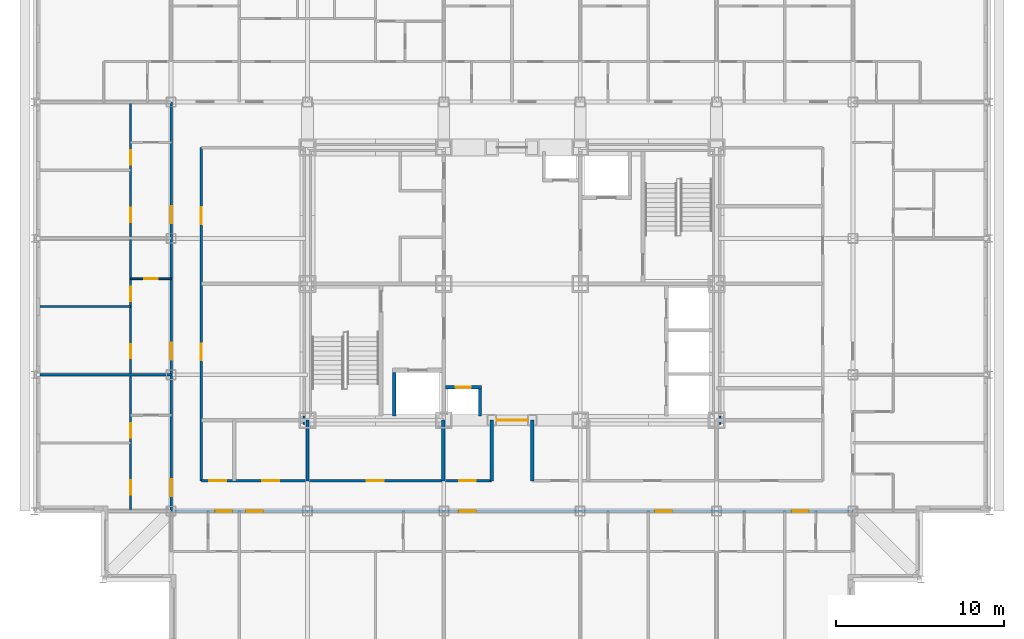
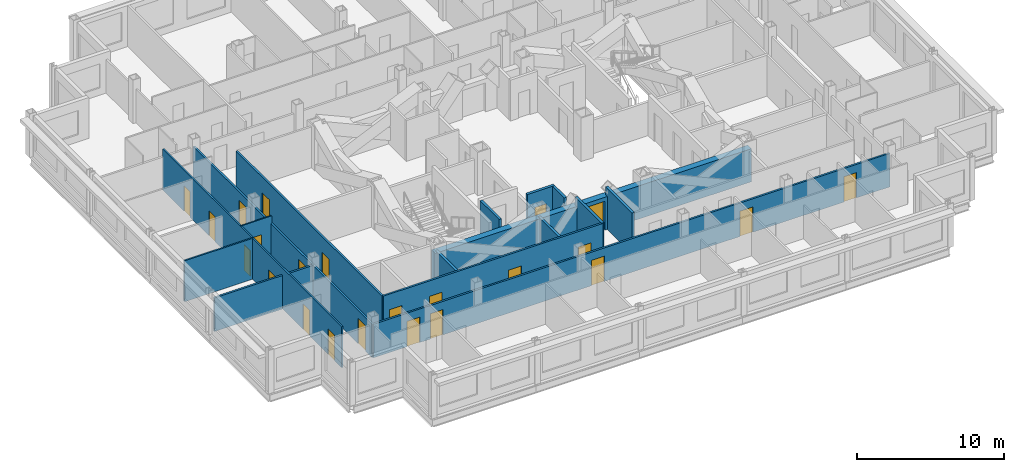
# One storey, part 5 of 12: 23 doors, 16 walls, 23 openings.
"""IFC4 building model written with IfcOpenShell, lengths in metres."""

from ifc_helpers import new_model, si_unit, direction, frame, frame_2d, origin, place, context, subcontext, project, spatial, rectangle, extrude, material, layer, layer_set, type_object, element, fill, save


model = new_model("IFC4")

# Units and contexts
model_context = context("Model", 3, precision=1e-05, world=origin(), true_north=direction((0.0, 1.0)))
body_context = subcontext(model_context, "Body", "Model", "MODEL_VIEW")
ifc_project = project(units=[si_unit("LENGTHUNIT", "METRE"), si_unit("AREAUNIT", "SQUARE_METRE"), si_unit("VOLUMEUNIT", "CUBIC_METRE"), si_unit("PLANEANGLEUNIT", "RADIAN"), si_unit("MASSUNIT", "GRAM", prefix="KILO")], contexts=[model_context])

# Site, building, storey
site_placement = place(None, origin())
site = spatial("IfcSite", under=ifc_project, at=site_placement, CompositionType="ELEMENT")
building_placement = place(site_placement, origin())
building = spatial("IfcBuilding", under=site, at=building_placement, Name="Kopane Lantern Tower", CompositionType="ELEMENT")
storey_placement = place(building_placement, frame((0.0, 0.0, 199.199951171875)))
storey = spatial("IfcBuildingStorey", under=building, at=storey_placement, Name="L51", CompositionType="ELEMENT", Elevation=199.199951171875)

# Wall, openings, doors
ifc_material_1 = material(Name="Gypsum board on steel studs", Category="steel")
ifc_layer_1 = layer(ifc_material_1, 0.1201171875)
ifc_layer_set_1 = layer_set([ifc_layer_1], Name="APARTMENT INTERNAL WALL 120")
wall_type_1 = type_object("IfcWallType", Name="APARTMENT INTERNAL WALL 120", PredefinedType="PARTITIONING", material=ifc_layer_set_1)
wall_1_placement = place(storey_placement, frame((5.699951171875, 18.89990234375, 0.0), z_axis=(0.0, 0.0, 1.0), x_axis=(0.0, 1.0, 0.0)))
wall_1 = element("IfcWall", 1, at=wall_1_placement, inside=storey, type_object=wall_type_1, Name="Apartment Internal Wall 120 L51", PredefinedType="PARTITIONING", context=body_context, shape_type="SweptSolid", body=[
    extrude(rectangle(XDim=24.300048828125, YDim=0.1201171875, at=frame_2d((12.14990234375, 0.0))), origin(), (0.0, 0.0, 1.0), 3.39013671875),
])
opening_1_placement = place(wall_1_placement, frame((0.97509765625, 0.0, 0.0)))
opening_1 = element("IfcOpeningElement", 2, at=opening_1_placement, cuts=wall_1, Name="Opening L51-042", PredefinedType="OPENING", context=body_context, shape_type="SweptSolid", body=[
    extrude(rectangle(XDim=0.85009765625, YDim=2.10009765625, at=frame_2d((0.425048828125, 1.050048828125))), frame((0.0, 0.070068359375, 0.0), z_axis=(0.0, -1.0, 0.0), x_axis=(1.0, 0.0, 0.0)), (0.0, 0.0, 1.0), 0.14013671875),
])
opening_2_placement = place(wall_1_placement, frame((4.375, 0.0, 0.0)))
opening_2 = element("IfcOpeningElement", 3, at=opening_2_placement, cuts=wall_1, Name="Opening L51-043", PredefinedType="OPENING", context=body_context, shape_type="SweptSolid", body=[
    extrude(rectangle(XDim=0.85009765625, YDim=2.10009765625, at=frame_2d((0.425048828125, 1.050048828125))), frame((0.0, 0.070068359375, 0.0), z_axis=(0.0, -1.0, 0.0), x_axis=(1.0, 0.0, 0.0)), (0.0, 0.0, 1.0), 0.14013671875),
])
opening_3_placement = place(wall_1_placement, frame((9.074951171875, 0.0, 0.0)))
opening_3 = element("IfcOpeningElement", 4, at=opening_3_placement, cuts=wall_1, Name="Opening L51-046", PredefinedType="OPENING", context=body_context, shape_type="SweptSolid", body=[
    extrude(rectangle(XDim=0.85009765625, YDim=2.10009765625, at=frame_2d((0.425048828125, 1.050048828125))), frame((0.0, 0.070068359375, 0.0), z_axis=(0.0, -1.0, 0.0), x_axis=(1.0, 0.0, 0.0)), (0.0, 0.0, 1.0), 0.14013671875),
])
opening_4_placement = place(wall_1_placement, frame((12.47509765625, 0.0, 0.0)))
opening_4 = element("IfcOpeningElement", 5, at=opening_4_placement, cuts=wall_1, Name="Opening L51-047", PredefinedType="OPENING", context=body_context, shape_type="SweptSolid", body=[
    extrude(rectangle(XDim=0.85009765625, YDim=2.10009765625, at=frame_2d((0.425048828125, 1.050048828125))), frame((0.0, 0.070068359375, 0.0), z_axis=(0.0, -1.0, 0.0), x_axis=(1.0, 0.0, 0.0)), (0.0, 0.0, 1.0), 0.14013671875),
])
opening_5_placement = place(wall_1_placement, frame((17.175048828125, 0.0, 0.0)))
opening_5 = element("IfcOpeningElement", 6, at=opening_5_placement, cuts=wall_1, Name="Opening L51-050", PredefinedType="OPENING", context=body_context, shape_type="SweptSolid", body=[
    extrude(rectangle(XDim=0.85009765625, YDim=2.10009765625, at=frame_2d((0.425048828125, 1.050048828125))), frame((0.0, 0.070068359375, 0.0), z_axis=(0.0, -1.0, 0.0), x_axis=(1.0, 0.0, 0.0)), (0.0, 0.0, 1.0), 0.14013671875),
])
opening_6_placement = place(wall_1_placement, frame((20.574951171875, 0.0, 0.0)))
opening_6 = element("IfcOpeningElement", 7, at=opening_6_placement, cuts=wall_1, Name="Opening L51-051", PredefinedType="OPENING", context=body_context, shape_type="SweptSolid", body=[
    extrude(rectangle(XDim=0.85009765625, YDim=2.10009765625, at=frame_2d((0.425048828125, 1.050048828125))), frame((0.0, 0.070068359375, 0.0), z_axis=(0.0, -1.0, 0.0), x_axis=(1.0, 0.0, 0.0)), (0.0, 0.0, 1.0), 0.14013671875),
])
ifc_material_2 = material(Name="Timber door set", Category="wood")
door_type_1 = type_object("IfcDoorType", Name="DOOR D4 850x2100", OperationType="SINGLE_SWING_LEFT", PredefinedType="DOOR", material=ifc_material_2)
door_1_placement = place(opening_1_placement, origin())
door_1 = element("IfcDoor", 8, at=door_1_placement, inside=storey, type_object=door_type_1, Name="Door L51-042", OperationType="SINGLE_SWING_RIGHT", OverallHeight=2.10009765625, OverallWidth=0.85009765625, PredefinedType="DOOR", context=body_context, shape_type="SweptSolid", body=[
    extrude(rectangle(XDim=0.85009765625, YDim=2.10009765625, at=frame_2d((0.425048828125, 1.050048828125))), frame((0.0, 0.02490234375, 0.0), z_axis=(0.0, -1.0, 0.0), x_axis=(1.0, 0.0, 0.0)), (0.0, 0.0, 1.0), 0.050048828125),
])
fill(opening_1, door_1)
door_2_placement = place(opening_2_placement, origin())
door_2 = element("IfcDoor", 9, at=door_2_placement, inside=storey, type_object=door_type_1, Name="Door L51-043", OperationType="SINGLE_SWING_LEFT", OverallHeight=2.10009765625, OverallWidth=0.85009765625, PredefinedType="DOOR", context=body_context, shape_type="SweptSolid", body=[
    extrude(rectangle(XDim=0.85009765625, YDim=2.10009765625, at=frame_2d((0.425048828125, 1.050048828125))), frame((0.0, 0.02490234375, 0.0), z_axis=(0.0, -1.0, 0.0), x_axis=(1.0, 0.0, 0.0)), (0.0, 0.0, 1.0), 0.050048828125),
])
fill(opening_2, door_2)
door_3_placement = place(opening_3_placement, origin())
door_3 = element("IfcDoor", 10, at=door_3_placement, inside=storey, type_object=door_type_1, Name="Door L51-046", OperationType="SINGLE_SWING_RIGHT", OverallHeight=2.10009765625, OverallWidth=0.85009765625, PredefinedType="DOOR", context=body_context, shape_type="SweptSolid", body=[
    extrude(rectangle(XDim=0.85009765625, YDim=2.10009765625, at=frame_2d((0.425048828125, 1.050048828125))), frame((0.0, 0.02490234375, 0.0), z_axis=(0.0, -1.0, 0.0), x_axis=(1.0, 0.0, 0.0)), (0.0, 0.0, 1.0), 0.050048828125),
])
fill(opening_3, door_3)
door_4_placement = place(opening_4_placement, origin())
door_4 = element("IfcDoor", 11, at=door_4_placement, inside=storey, type_object=door_type_1, Name="Door L51-047", OperationType="SINGLE_SWING_LEFT", OverallHeight=2.10009765625, OverallWidth=0.85009765625, PredefinedType="DOOR", context=body_context, shape_type="SweptSolid", body=[
    extrude(rectangle(XDim=0.85009765625, YDim=2.10009765625, at=frame_2d((0.425048828125, 1.050048828125))), frame((0.0, 0.02490234375, 0.0), z_axis=(0.0, -1.0, 0.0), x_axis=(1.0, 0.0, 0.0)), (0.0, 0.0, 1.0), 0.050048828125),
])
fill(opening_4, door_4)
door_5_placement = place(opening_5_placement, origin())
door_5 = element("IfcDoor", 12, at=door_5_placement, inside=storey, type_object=door_type_1, Name="Door L51-050", OperationType="SINGLE_SWING_RIGHT", OverallHeight=2.10009765625, OverallWidth=0.85009765625, PredefinedType="DOOR", context=body_context, shape_type="SweptSolid", body=[
    extrude(rectangle(XDim=0.85009765625, YDim=2.10009765625, at=frame_2d((0.425048828125, 1.050048828125))), frame((0.0, 0.02490234375, 0.0), z_axis=(0.0, -1.0, 0.0), x_axis=(1.0, 0.0, 0.0)), (0.0, 0.0, 1.0), 0.050048828125),
])
fill(opening_5, door_5)
door_6_placement = place(opening_6_placement, origin())
door_6 = element("IfcDoor", 13, at=door_6_placement, inside=storey, type_object=door_type_1, Name="Door L51-051", OperationType="SINGLE_SWING_LEFT", OverallHeight=2.10009765625, OverallWidth=0.85009765625, PredefinedType="DOOR", context=body_context, shape_type="SweptSolid", body=[
    extrude(rectangle(XDim=0.85009765625, YDim=2.10009765625, at=frame_2d((0.425048828125, 1.050048828125))), frame((0.0, 0.02490234375, 0.0), z_axis=(0.0, -1.0, 0.0), x_axis=(1.0, 0.0, 0.0)), (0.0, 0.0, 1.0), 0.050048828125),
])
fill(opening_6, door_6)

# Wall
wall_2_placement = place(storey_placement, frame((5.699951171875, 31.050048828125, 0.0), z_axis=(0.0, 0.0, 1.0), x_axis=(-1.0, 0.0, 0.0)))
element("IfcWall", 14, at=wall_2_placement, inside=storey, type_object=wall_type_1, Name="Apartment Internal Wall 120 L51", PredefinedType="PARTITIONING", context=body_context, shape_type="SweptSolid", body=[
    extrude(rectangle(XDim=5.39990234375, YDim=0.1201171875, at=frame_2d((2.699951171875, 0.0))), origin(), (0.0, 0.0, 1.0), 3.39013671875),
])

# Wall, opening, door
ifc_material_3 = material(Name="Moisture-resistant board on steel studs", Category="steel")
ifc_layer_2 = layer(ifc_material_3, 0.10009765625)
ifc_layer_set_2 = layer_set([ifc_layer_2], Name="BATHROOM WALL 100")
wall_type_2 = type_object("IfcWallType", Name="BATHROOM WALL 100", PredefinedType="PARTITIONING", material=ifc_layer_set_2)
wall_3_placement = place(storey_placement, frame((8.10009765625, 32.699951171875, 0.0), z_axis=(0.0, 0.0, 1.0), x_axis=(-1.0, 0.0, 0.0)))
wall_3 = element("IfcWall", 15, at=wall_3_placement, inside=storey, type_object=wall_type_2, Name="Bathroom Wall 100 L51", PredefinedType="PARTITIONING", context=body_context, shape_type="SweptSolid", body=[
    extrude(rectangle(XDim=2.400146484375, YDim=0.10009765625, at=frame_2d((1.2001953125, 0.0))), origin(), (0.0, 0.0, 1.0), 3.39013671875),
])
opening_7_placement = place(wall_3_placement, frame((0.800048828125, 0.0, 0.0)))
opening_7 = element("IfcOpeningElement", 16, at=opening_7_placement, cuts=wall_3, Name="Opening L51-044", PredefinedType="OPENING", context=body_context, shape_type="SweptSolid", body=[
    extrude(rectangle(XDim=0.800048828125, YDim=2.10009765625, at=frame_2d((0.39990234375, 1.050048828125))), frame((0.0, 0.06005859375, 0.0), z_axis=(0.0, -1.0, 0.0), x_axis=(1.0, 0.0, 0.0)), (0.0, 0.0, 1.0), 0.1201171875),
])
ifc_material_4 = material(Name="Timber door set", Category="wood")
door_type_2 = type_object("IfcDoorType", Name="DOOR D2 800x2100", OperationType="SINGLE_SWING_LEFT", PredefinedType="DOOR", material=ifc_material_4)
door_7_placement = place(opening_7_placement, origin())
door_7 = element("IfcDoor", 17, at=door_7_placement, inside=storey, type_object=door_type_2, Name="Door L51-044", OperationType="SINGLE_SWING_RIGHT", OverallHeight=2.10009765625, OverallWidth=0.800048828125, PredefinedType="DOOR", context=body_context, shape_type="SweptSolid", body=[
    extrude(rectangle(XDim=0.800048828125, YDim=2.10009765625, at=frame_2d((0.39990234375, 1.050048828125))), frame((0.0, 0.02490234375, 0.0), z_axis=(0.0, -1.0, 0.0), x_axis=(1.0, 0.0, 0.0)), (0.0, 0.0, 1.0), 0.050048828125),
])
fill(opening_7, door_7)

ifc_material_5 = material(Name="Gypsum shaft wall EI 120", Category="gypsum")
ifc_layer_3 = layer(ifc_material_5, 0.5)
ifc_layer_set_3 = layer_set([ifc_layer_3], Name="CORE PERIMETER WALL 500 EI 120")
wall_type_3 = type_object("IfcWallType", Name="CORE PERIMETER WALL 500 EI 120", PredefinedType="SOLIDWALL", material=ifc_layer_set_3)
wall_4_placement = place(storey_placement, frame((15.949951171875, 24.300048828125, 0.0), z_axis=(0.0, 0.0, 1.0), x_axis=(1.0, 0.0, 0.0)))
wall_4 = element("IfcWall", 18, at=wall_4_placement, inside=storey, type_object=wall_type_3, Name="Core shaft wall L51 PS", PredefinedType="SOLIDWALL", context=body_context, shape_type="SweptSolid", body=[
    extrude(rectangle(XDim=24.800048828125, YDim=0.5, at=frame_2d((12.39990234375, 0.0))), origin(), (0.0, 0.0, 1.0), 2.739990234375),
])
opening_8_placement = place(wall_4_placement, frame((11.5, 0.0, 0.0)))
opening_8 = element("IfcOpeningElement", 19, at=opening_8_placement, cuts=wall_4, Name="Opening 51.CE-S", PredefinedType="OPENING", context=body_context, shape_type="SweptSolid", body=[
    extrude(rectangle(XDim=1.800048828125, YDim=2.39990234375, at=frame_2d((0.89990234375, 1.199951171875))), frame((0.0, 0.260009765625, 0.0), z_axis=(0.0, -1.0, 0.0), x_axis=(1.0, 0.0, 0.0)), (0.0, 0.0, 1.0), 0.52001953125),
])
ifc_material_6 = material(Name="Steel door set", Category="steel")
door_type_3 = type_object("IfcDoorType", Name="CORE ENTRY DOOR 1800x2400 FD60S", OperationType="DOUBLE_DOOR_SINGLE_SWING", PredefinedType="DOOR", material=ifc_material_6)
door_8_placement = place(opening_8_placement, origin())
door_8 = element("IfcDoor", 20, at=door_8_placement, inside=storey, type_object=door_type_3, Name="Core entry door L51 south", OperationType="DOUBLE_DOOR_SINGLE_SWING", OverallHeight=2.39990234375, OverallWidth=1.800048828125, PredefinedType="DOOR", context=body_context, shape_type="SweptSolid", body=[
    extrude(rectangle(XDim=1.800048828125, YDim=2.39990234375, at=frame_2d((0.89990234375, 1.199951171875))), frame((0.0, 0.02490234375, 0.0), z_axis=(0.0, -1.0, 0.0), x_axis=(1.0, 0.0, 0.0)), (0.0, 0.0, 1.0), 0.050048828125),
])
fill(opening_8, door_8)

# Wall, openings, doors
ifc_material_7 = material(Name="Gypsum board on steel studs", Category="steel")
ifc_layer_4 = layer(ifc_material_7, 0.14990234375)
ifc_layer_set_4 = layer_set([ifc_layer_4], Name="CORRIDOR WALL 150 EI 60")
wall_type_4 = type_object("IfcWallType", Name="CORRIDOR WALL 150 EI 60", PredefinedType="PARTITIONING", material=ifc_layer_set_4)
wall_5_placement = place(storey_placement, frame((8.10009765625, 18.89990234375, 0.0), z_axis=(0.0, 0.0, 1.0), x_axis=(1.0, 0.0, 0.0)))
wall_5 = element("IfcWall", 21, at=wall_5_placement, inside=storey, type_object=wall_type_4, Name="Corridor Wall 150 Ei 60 L51", PredefinedType="PARTITIONING", context=body_context, shape_type="SweptSolid", body=[
    extrude(rectangle(XDim=40.5, YDim=0.14990234375, at=frame_2d((20.25, 0.0))), origin(), (0.0, 0.0, 1.0), 2.77783203125),
])
opening_9_placement = place(wall_5_placement, frame((4.449951171875, 0.0, 0.0)))
opening_9 = element("IfcOpeningElement", 22, at=opening_9_placement, cuts=wall_5, Name="Opening L51-015", PredefinedType="OPENING", context=body_context, shape_type="SweptSolid", body=[
    extrude(rectangle(XDim=1.0, YDim=2.10009765625, at=frame_2d((0.5, 1.050048828125))), frame((0.0, 0.0849609375, 0.0), z_axis=(0.0, -1.0, 0.0), x_axis=(1.0, 0.0, 0.0)), (0.0, 0.0, 1.0), 0.169921875),
])
opening_10_placement = place(wall_5_placement, frame((17.10009765625, 0.0, 0.0)))
opening_10 = element("IfcOpeningElement", 23, at=opening_10_placement, cuts=wall_5, Name="Opening L51-019", PredefinedType="OPENING", context=body_context, shape_type="SweptSolid", body=[
    extrude(rectangle(XDim=1.0, YDim=2.10009765625, at=frame_2d((0.5, 1.050048828125))), frame((0.0, 0.0849609375, 0.0), z_axis=(0.0, -1.0, 0.0), x_axis=(1.0, 0.0, 0.0)), (0.0, 0.0, 1.0), 0.169921875),
])
opening_11_placement = place(wall_5_placement, frame((28.75, 0.0, 0.0)))
opening_11 = element("IfcOpeningElement", 24, at=opening_11_placement, cuts=wall_5, Name="Opening L51-023", PredefinedType="OPENING", context=body_context, shape_type="SweptSolid", body=[
    extrude(rectangle(XDim=1.0, YDim=2.10009765625, at=frame_2d((0.5, 1.050048828125))), frame((0.0, 0.0849609375, 0.0), z_axis=(0.0, -1.0, 0.0), x_axis=(1.0, 0.0, 0.0)), (0.0, 0.0, 1.0), 0.169921875),
])
opening_12_placement = place(wall_5_placement, frame((2.625, 0.0, 0.0)))
opening_12 = element("IfcOpeningElement", 25, at=opening_12_placement, cuts=wall_5, Name="Opening L51-063", PredefinedType="OPENING", context=body_context, shape_type="SweptSolid", body=[
    extrude(rectangle(XDim=1.0, YDim=2.10009765625, at=frame_2d((0.5, 1.050048828125))), frame((0.0, 0.0849609375, 0.0), z_axis=(0.0, -1.0, 0.0), x_axis=(1.0, 0.0, 0.0)), (0.0, 0.0, 1.0), 0.169921875),
])
opening_13_placement = place(wall_5_placement, frame((36.875, 0.0, 0.0)))
opening_13 = element("IfcOpeningElement", 26, at=opening_13_placement, cuts=wall_5, Name="Opening L51-066", PredefinedType="OPENING", context=body_context, shape_type="SweptSolid", body=[
    extrude(rectangle(XDim=1.0, YDim=2.10009765625, at=frame_2d((0.5, 1.050048828125))), frame((0.0, 0.0849609375, 0.0), z_axis=(0.0, -1.0, 0.0), x_axis=(1.0, 0.0, 0.0)), (0.0, 0.0, 1.0), 0.169921875),
])
ifc_material_8 = material(Name="Steel door set", Category="steel")
door_type_4 = type_object("IfcDoorType", Name="DOOR D3 1000x2100 FD30S", OperationType="SINGLE_SWING_LEFT", PredefinedType="DOOR", material=ifc_material_8)
door_9_placement = place(opening_9_placement, origin())
door_9 = element("IfcDoor", 27, at=door_9_placement, inside=storey, type_object=door_type_4, Name="Door L51-015", OperationType="SINGLE_SWING_RIGHT", OverallHeight=2.10009765625, OverallWidth=1.0, PredefinedType="DOOR", context=body_context, shape_type="SweptSolid", body=[
    extrude(rectangle(XDim=1.0, YDim=2.10009765625, at=frame_2d((0.5, 1.050048828125))), frame((0.0, 0.02490234375, 0.0), z_axis=(0.0, -1.0, 0.0), x_axis=(1.0, 0.0, 0.0)), (0.0, 0.0, 1.0), 0.050048828125),
])
fill(opening_9, door_9)
door_10_placement = place(opening_10_placement, origin())
door_10 = element("IfcDoor", 28, at=door_10_placement, inside=storey, type_object=door_type_4, Name="Door L51-019", OperationType="SINGLE_SWING_RIGHT", OverallHeight=2.10009765625, OverallWidth=1.0, PredefinedType="DOOR", context=body_context, shape_type="SweptSolid", body=[
    extrude(rectangle(XDim=1.0, YDim=2.10009765625, at=frame_2d((0.5, 1.050048828125))), frame((0.0, 0.02490234375, 0.0), z_axis=(0.0, -1.0, 0.0), x_axis=(1.0, 0.0, 0.0)), (0.0, 0.0, 1.0), 0.050048828125),
])
fill(opening_10, door_10)
door_11_placement = place(opening_11_placement, origin())
door_11 = element("IfcDoor", 29, at=door_11_placement, inside=storey, type_object=door_type_4, Name="Door L51-023", OperationType="SINGLE_SWING_RIGHT", OverallHeight=2.10009765625, OverallWidth=1.0, PredefinedType="DOOR", context=body_context, shape_type="SweptSolid", body=[
    extrude(rectangle(XDim=1.0, YDim=2.10009765625, at=frame_2d((0.5, 1.050048828125))), frame((0.0, 0.02490234375, 0.0), z_axis=(0.0, -1.0, 0.0), x_axis=(1.0, 0.0, 0.0)), (0.0, 0.0, 1.0), 0.050048828125),
])
fill(opening_11, door_11)
door_12_placement = place(opening_12_placement, origin())
door_12 = element("IfcDoor", 30, at=door_12_placement, inside=storey, type_object=door_type_4, Name="Door L51-063", OperationType="SINGLE_SWING_RIGHT", OverallHeight=2.10009765625, OverallWidth=1.0, PredefinedType="DOOR", context=body_context, shape_type="SweptSolid", body=[
    extrude(rectangle(XDim=1.0, YDim=2.10009765625, at=frame_2d((0.5, 1.050048828125))), frame((0.0, 0.02490234375, 0.0), z_axis=(0.0, -1.0, 0.0), x_axis=(1.0, 0.0, 0.0)), (0.0, 0.0, 1.0), 0.050048828125),
])
fill(opening_12, door_12)
door_13_placement = place(opening_13_placement, origin())
door_13 = element("IfcDoor", 31, at=door_13_placement, inside=storey, type_object=door_type_4, Name="Door L51-066", OperationType="SINGLE_SWING_RIGHT", OverallHeight=2.10009765625, OverallWidth=1.0, PredefinedType="DOOR", context=body_context, shape_type="SweptSolid", body=[
    extrude(rectangle(XDim=1.0, YDim=2.10009765625, at=frame_2d((0.5, 1.050048828125))), frame((0.0, 0.02490234375, 0.0), z_axis=(0.0, -1.0, 0.0), x_axis=(1.0, 0.0, 0.0)), (0.0, 0.0, 1.0), 0.050048828125),
])
fill(opening_13, door_13)

wall_6_placement = place(storey_placement, frame((8.10009765625, 18.89990234375, 0.0), z_axis=(0.0, 0.0, 1.0), x_axis=(0.0, 1.0, 0.0)))
wall_6 = element("IfcWall", 32, at=wall_6_placement, inside=storey, type_object=wall_type_4, Name="Corridor Wall 150 Ei 60 L51", PredefinedType="PARTITIONING", context=body_context, shape_type="SweptSolid", body=[
    extrude(rectangle(XDim=24.300048828125, YDim=0.14990234375, at=frame_2d((12.14990234375, 0.0))), origin(), (0.0, 0.0, 1.0), 2.77783203125),
])
opening_14_placement = place(wall_6_placement, frame((0.89990234375, 0.0, 0.0)))
opening_14 = element("IfcOpeningElement", 33, at=opening_14_placement, cuts=wall_6, Name="Opening L51-041", PredefinedType="OPENING", context=body_context, shape_type="SweptSolid", body=[
    extrude(rectangle(XDim=1.0, YDim=2.10009765625, at=frame_2d((0.5, 1.050048828125))), frame((0.0, 0.0849609375, 0.0), z_axis=(0.0, -1.0, 0.0), x_axis=(1.0, 0.0, 0.0)), (0.0, 0.0, 1.0), 0.169921875),
])
opening_15_placement = place(wall_6_placement, frame((9.0, 0.0, 0.0)))
opening_15 = element("IfcOpeningElement", 34, at=opening_15_placement, cuts=wall_6, Name="Opening L51-045", PredefinedType="OPENING", context=body_context, shape_type="SweptSolid", body=[
    extrude(rectangle(XDim=1.0, YDim=2.10009765625, at=frame_2d((0.5, 1.050048828125))), frame((0.0, 0.0849609375, 0.0), z_axis=(0.0, -1.0, 0.0), x_axis=(1.0, 0.0, 0.0)), (0.0, 0.0, 1.0), 0.169921875),
])
opening_16_placement = place(wall_6_placement, frame((17.10009765625, 0.0, 0.0)))
opening_16 = element("IfcOpeningElement", 35, at=opening_16_placement, cuts=wall_6, Name="Opening L51-049", PredefinedType="OPENING", context=body_context, shape_type="SweptSolid", body=[
    extrude(rectangle(XDim=1.0, YDim=2.10009765625, at=frame_2d((0.5, 1.050048828125))), frame((0.0, 0.0849609375, 0.0), z_axis=(0.0, -1.0, 0.0), x_axis=(1.0, 0.0, 0.0)), (0.0, 0.0, 1.0), 0.169921875),
])
door_14_placement = place(opening_14_placement, origin())
door_14 = element("IfcDoor", 36, at=door_14_placement, inside=storey, type_object=door_type_4, Name="Door L51-041", OperationType="SINGLE_SWING_LEFT", OverallHeight=2.10009765625, OverallWidth=1.0, PredefinedType="DOOR", context=body_context, shape_type="SweptSolid", body=[
    extrude(rectangle(XDim=1.0, YDim=2.10009765625, at=frame_2d((0.5, 1.050048828125))), frame((0.0, 0.02490234375, 0.0), z_axis=(0.0, -1.0, 0.0), x_axis=(1.0, 0.0, 0.0)), (0.0, 0.0, 1.0), 0.050048828125),
])
fill(opening_14, door_14)
door_15_placement = place(opening_15_placement, origin())
door_15 = element("IfcDoor", 37, at=door_15_placement, inside=storey, type_object=door_type_4, Name="Door L51-045", OperationType="SINGLE_SWING_LEFT", OverallHeight=2.10009765625, OverallWidth=1.0, PredefinedType="DOOR", context=body_context, shape_type="SweptSolid", body=[
    extrude(rectangle(XDim=1.0, YDim=2.10009765625, at=frame_2d((0.5, 1.050048828125))), frame((0.0, 0.02490234375, 0.0), z_axis=(0.0, -1.0, 0.0), x_axis=(1.0, 0.0, 0.0)), (0.0, 0.0, 1.0), 0.050048828125),
])
fill(opening_15, door_15)
door_16_placement = place(opening_16_placement, origin())
door_16 = element("IfcDoor", 38, at=door_16_placement, inside=storey, type_object=door_type_4, Name="Door L51-049", OperationType="SINGLE_SWING_LEFT", OverallHeight=2.10009765625, OverallWidth=1.0, PredefinedType="DOOR", context=body_context, shape_type="SweptSolid", body=[
    extrude(rectangle(XDim=1.0, YDim=2.10009765625, at=frame_2d((0.5, 1.050048828125))), frame((0.0, 0.02490234375, 0.0), z_axis=(0.0, -1.0, 0.0), x_axis=(1.0, 0.0, 0.0)), (0.0, 0.0, 1.0), 0.050048828125),
])
fill(opening_16, door_16)

wall_7_placement = place(storey_placement, frame((9.89990234375, 40.5, 0.0), z_axis=(0.0, 0.0, 1.0), x_axis=(0.0, -1.0, 0.0)))
wall_7 = element("IfcWall", 39, at=wall_7_placement, inside=storey, type_object=wall_type_4, Name="Corridor Wall 150 Ei 60 L51", PredefinedType="PARTITIONING", context=body_context, shape_type="SweptSolid", body=[
    extrude(rectangle(XDim=19.800048828125, YDim=0.14990234375, at=frame_2d((9.89990234375, 0.0))), origin(), (0.0, 0.0, 1.0), 3.39013671875),
])
opening_17_placement = place(wall_7_placement, frame((11.64990234375, 0.0, 0.0)))
opening_17 = element("IfcOpeningElement", 40, at=opening_17_placement, cuts=wall_7, Name="Opening L51-001", PredefinedType="OPENING", context=body_context, shape_type="SweptSolid", body=[
    extrude(rectangle(XDim=1.0, YDim=2.10009765625, at=frame_2d((0.5, 1.050048828125))), frame((0.0, 0.0849609375, 0.0), z_axis=(0.0, -1.0, 0.0), x_axis=(1.0, 0.0, 0.0)), (0.0, 0.0, 1.0), 0.169921875),
])
opening_18_placement = place(wall_7_placement, frame((3.550048828125, 0.0, 0.0)))
opening_18 = element("IfcOpeningElement", 41, at=opening_18_placement, cuts=wall_7, Name="Opening L51-002", PredefinedType="OPENING", context=body_context, shape_type="SweptSolid", body=[
    extrude(rectangle(XDim=1.0, YDim=2.10009765625, at=frame_2d((0.5, 1.050048828125))), frame((0.0, 0.0849609375, 0.0), z_axis=(0.0, -1.0, 0.0), x_axis=(1.0, 0.0, 0.0)), (0.0, 0.0, 1.0), 0.169921875),
])
ifc_material_9 = material(Name="Steel door set", Category="steel")
door_type_5 = type_object("IfcDoorType", Name="DOOR D5 1000x2100 FD60", OperationType="SINGLE_SWING_LEFT", PredefinedType="DOOR", material=ifc_material_9)
door_17_placement = place(opening_17_placement, origin())
door_17 = element("IfcDoor", 42, at=door_17_placement, inside=storey, type_object=door_type_5, Name="Door L51-001", OperationType="SINGLE_SWING_RIGHT", OverallHeight=2.10009765625, OverallWidth=1.0, PredefinedType="DOOR", context=body_context, shape_type="SweptSolid", body=[
    extrude(rectangle(XDim=1.0, YDim=2.10009765625, at=frame_2d((0.5, 1.050048828125))), frame((0.0, 0.02490234375, 0.0), z_axis=(0.0, -1.0, 0.0), x_axis=(1.0, 0.0, 0.0)), (0.0, 0.0, 1.0), 0.050048828125),
])
fill(opening_17, door_17)
door_18_placement = place(opening_18_placement, origin())
door_18 = element("IfcDoor", 43, at=door_18_placement, inside=storey, type_object=door_type_5, Name="Door L51-002", OperationType="SINGLE_SWING_LEFT", OverallHeight=2.10009765625, OverallWidth=1.0, PredefinedType="DOOR", context=body_context, shape_type="SweptSolid", body=[
    extrude(rectangle(XDim=1.0, YDim=2.10009765625, at=frame_2d((0.5, 1.050048828125))), frame((0.0, 0.02490234375, 0.0), z_axis=(0.0, -1.0, 0.0), x_axis=(1.0, 0.0, 0.0)), (0.0, 0.0, 1.0), 0.050048828125),
])
fill(opening_18, door_18)

wall_8_placement = place(storey_placement, frame((9.89990234375, 20.699951171875, 0.0), z_axis=(0.0, 0.0, 1.0), x_axis=(1.0, 0.0, 0.0)))
wall_8 = element("IfcWall", 44, at=wall_8_placement, inside=storey, type_object=wall_type_4, Name="Corridor Wall 150 Ei 60 L51", PredefinedType="PARTITIONING", context=body_context, shape_type="SweptSolid", body=[
    extrude(rectangle(XDim=17.239990234375, YDim=0.14990234375, at=frame_2d((8.6201171875, 0.0))), origin(), (0.0, 0.0, 1.0), 3.39013671875),
])
opening_19_placement = place(wall_8_placement, frame((0.47216796875, 0.0, 0.0)))
opening_19 = element("IfcOpeningElement", 45, at=opening_19_placement, cuts=wall_8, Name="Opening L51-007", PredefinedType="OPENING", context=body_context, shape_type="SweptSolid", body=[
    extrude(rectangle(XDim=1.0, YDim=2.10009765625, at=frame_2d((0.5, 1.050048828125))), frame((0.0, 0.0849609375, 0.0), z_axis=(0.0, -1.0, 0.0), x_axis=(1.0, 0.0, 0.0)), (0.0, 0.0, 1.0), 0.169921875),
])
opening_20_placement = place(wall_8_placement, frame((3.622314453125, 0.0, 0.0)))
opening_20 = element("IfcOpeningElement", 46, at=opening_20_placement, cuts=wall_8, Name="Opening L51-008", PredefinedType="OPENING", context=body_context, shape_type="SweptSolid", body=[
    extrude(rectangle(XDim=1.0, YDim=2.10009765625, at=frame_2d((0.5, 1.050048828125))), frame((0.0, 0.0849609375, 0.0), z_axis=(0.0, -1.0, 0.0), x_axis=(1.0, 0.0, 0.0)), (0.0, 0.0, 1.0), 0.169921875),
])
opening_21_placement = place(wall_8_placement, frame((9.827880859375, 0.0, 0.0)))
opening_21 = element("IfcOpeningElement", 47, at=opening_21_placement, cuts=wall_8, Name="Opening L51-009", PredefinedType="OPENING", context=body_context, shape_type="SweptSolid", body=[
    extrude(rectangle(XDim=1.0, YDim=2.10009765625, at=frame_2d((0.5, 1.050048828125))), frame((0.0, 0.0849609375, 0.0), z_axis=(0.0, -1.0, 0.0), x_axis=(1.0, 0.0, 0.0)), (0.0, 0.0, 1.0), 0.169921875),
])
opening_22_placement = place(wall_8_placement, frame((15.302734375, 0.0, 0.0)))
opening_22 = element("IfcOpeningElement", 48, at=opening_22_placement, cuts=wall_8, Name="Opening L51-010", PredefinedType="OPENING", context=body_context, shape_type="SweptSolid", body=[
    extrude(rectangle(XDim=1.0, YDim=2.10009765625, at=frame_2d((0.5, 1.050048828125))), frame((0.0, 0.0849609375, 0.0), z_axis=(0.0, -1.0, 0.0), x_axis=(1.0, 0.0, 0.0)), (0.0, 0.0, 1.0), 0.169921875),
])
door_19_placement = place(opening_19_placement, origin())
door_19 = element("IfcDoor", 49, at=door_19_placement, inside=storey, type_object=door_type_5, Name="Door L51-007", OperationType="SINGLE_SWING_LEFT", OverallHeight=2.10009765625, OverallWidth=1.0, PredefinedType="DOOR", context=body_context, shape_type="SweptSolid", body=[
    extrude(rectangle(XDim=1.0, YDim=2.10009765625, at=frame_2d((0.5, 1.050048828125))), frame((0.0, 0.02490234375, 0.0), z_axis=(0.0, -1.0, 0.0), x_axis=(1.0, 0.0, 0.0)), (0.0, 0.0, 1.0), 0.050048828125),
])
fill(opening_19, door_19)
door_20_placement = place(opening_20_placement, origin())
door_20 = element("IfcDoor", 50, at=door_20_placement, inside=storey, type_object=door_type_5, Name="Door L51-008", OperationType="SINGLE_SWING_RIGHT", OverallHeight=2.10009765625, OverallWidth=1.0, PredefinedType="DOOR", context=body_context, shape_type="SweptSolid", body=[
    extrude(rectangle(XDim=1.0, YDim=2.10009765625, at=frame_2d((0.5, 1.050048828125))), frame((0.0, 0.02490234375, 0.0), z_axis=(0.0, -1.0, 0.0), x_axis=(1.0, 0.0, 0.0)), (0.0, 0.0, 1.0), 0.050048828125),
])
fill(opening_20, door_20)
door_21_placement = place(opening_21_placement, origin())
door_21 = element("IfcDoor", 51, at=door_21_placement, inside=storey, type_object=door_type_5, Name="Door L51-009", OperationType="SINGLE_SWING_LEFT", OverallHeight=2.10009765625, OverallWidth=1.0, PredefinedType="DOOR", context=body_context, shape_type="SweptSolid", body=[
    extrude(rectangle(XDim=1.0, YDim=2.10009765625, at=frame_2d((0.5, 1.050048828125))), frame((0.0, 0.02490234375, 0.0), z_axis=(0.0, -1.0, 0.0), x_axis=(1.0, 0.0, 0.0)), (0.0, 0.0, 1.0), 0.050048828125),
])
fill(opening_21, door_21)
door_22_placement = place(opening_22_placement, origin())
door_22 = element("IfcDoor", 52, at=door_22_placement, inside=storey, type_object=door_type_5, Name="Door L51-010", OperationType="SINGLE_SWING_RIGHT", OverallHeight=2.10009765625, OverallWidth=1.0, PredefinedType="DOOR", context=body_context, shape_type="SweptSolid", body=[
    extrude(rectangle(XDim=1.0, YDim=2.10009765625, at=frame_2d((0.5, 1.050048828125))), frame((0.0, 0.02490234375, 0.0), z_axis=(0.0, -1.0, 0.0), x_axis=(1.0, 0.0, 0.0)), (0.0, 0.0, 1.0), 0.050048828125),
])
fill(opening_22, door_22)

# Walls
ifc_material_10 = material(Name="Gypsum board on steel studs", Category="steel")
ifc_layer_5 = layer(ifc_material_10, 0.14990234375)
ifc_layer_set_5 = layer_set([ifc_layer_5], Name="DEMISING WALL 150 EI 60")
wall_type_5 = type_object("IfcWallType", Name="DEMISING WALL 150 EI 60", PredefinedType="PARTITIONING", material=ifc_layer_set_5)
wall_9_placement = place(storey_placement, frame((8.10009765625, 27.0, 0.0), z_axis=(0.0, 0.0, 1.0), x_axis=(-1.0, 0.0, 0.0)))
element("IfcWall", 53, at=wall_9_placement, inside=storey, type_object=wall_type_5, Name="Demising Wall 150 Ei 60 L51", PredefinedType="PARTITIONING", context=body_context, shape_type="SweptSolid", body=[
    extrude(rectangle(XDim=7.800048828125, YDim=0.14990234375, at=frame_2d((3.89990234375, 0.0))), origin(), (0.0, 0.0, 1.0), 2.77783203125),
])
ifc_material_11 = material(Name="Concrete masonry", Category="masonry")
ifc_layer_6 = layer(ifc_material_11, 0.199951171875)
ifc_layer_set_6 = layer_set([ifc_layer_6], Name="PLANT ROOM WALL 200 EI 120")
wall_type_6 = type_object("IfcWallType", Name="PLANT ROOM WALL 200 EI 120", PredefinedType="SOLIDWALL", material=ifc_layer_set_6)
for number, where, z_axis, x_axis, name in (
    (54, (16.199951171875, 20.699951171875, 0.0), (0.0, 0.0, 1.0), (0.0, 1.0, 0.0), "Plant Room Wall 200 Ei 120 L51"),
    (55, (24.255615234375, 20.699951171875, 0.0), (0.0, 0.0, 1.0), (0.0, 1.0, 0.0), "Plant Room Wall 200 Ei 120 L51"),
):
    element("IfcWall", number, at=place(storey_placement, frame(where, z_axis=z_axis, x_axis=x_axis)), inside=storey, type_object=wall_type_6, Name=name, PredefinedType="SOLIDWALL", context=body_context, shape_type="SweptSolid", body=[
        extrude(rectangle(XDim=3.60009765625, YDim=0.199951171875, at=frame_2d((1.800048828125, 0.0))), origin(), (0.0, 0.0, 1.0), 2.77783203125),
    ])
for number, where, z_axis, x_axis, name in (
    (56, (27.14990234375, 20.699951171875, 0.0), (0.0, 0.0, 1.0), (0.0, 1.0, 0.0), "Plant Room Wall 200 Ei 120 L51"),
    (57, (29.550048828125, 20.699951171875, 0.0), (0.0, 0.0, 1.0), (0.0, 1.0, 0.0), "Plant Room Wall 200 Ei 120 L51"),
):
    element("IfcWall", number, at=place(storey_placement, frame(where, z_axis=z_axis, x_axis=x_axis)), inside=storey, type_object=wall_type_6, Name=name, PredefinedType="SOLIDWALL", context=body_context, shape_type="SweptSolid", body=[
        extrude(rectangle(XDim=3.60009765625, YDim=0.199951171875, at=frame_2d((1.800048828125, 0.0))), origin(), (0.0, 0.0, 1.0), 3.39013671875),
    ])
ifc_material_12 = material(Name="Gypsum shaft wall EI 120", Category="gypsum")
ifc_layer_7 = layer(ifc_material_12, 0.199951171875)
ifc_layer_set_7 = layer_set([ifc_layer_7], Name="SHAFT WALL 200 EI 120")
wall_type_7 = type_object("IfcWallType", Name="SHAFT WALL 200 EI 120", PredefinedType="SOLIDWALL", material=ifc_layer_set_7)
wall_10_placement = place(storey_placement, frame((21.35009765625, 24.550048828125, 0.0), z_axis=(0.0, 0.0, 1.0), x_axis=(0.0, 1.0, 0.0)))
element("IfcWall", 58, at=wall_10_placement, inside=storey, type_object=wall_type_7, Name="Core shaft wall L51 XLF1", PredefinedType="SOLIDWALL", context=body_context, shape_type="SweptSolid", body=[
    extrude(rectangle(XDim=2.599853515625, YDim=0.199951171875, at=frame_2d((1.2998046875, 0.0))), origin(), (0.0, 0.0, 1.0), 3.39013671875),
])
wall_11_placement = place(storey_placement, frame((26.449951171875, 24.550048828125, 0.0), z_axis=(0.0, 0.0, 1.0), x_axis=(0.0, 1.0, 0.0)))
element("IfcWall", 59, at=wall_11_placement, inside=storey, type_object=wall_type_7, Name="Core shaft wall L51 XRS1", PredefinedType="SOLIDWALL", context=body_context, shape_type="SweptSolid", body=[
    extrude(rectangle(XDim=1.599853515625, YDim=0.199951171875, at=frame_2d((0.7998046875, 0.0))), origin(), (0.0, 0.0, 1.0), 3.39013671875),
])

# Wall, opening, door
wall_12_placement = place(storey_placement, frame((24.39990234375, 26.25, 0.0), z_axis=(0.0, 0.0, 1.0), x_axis=(1.0, 0.0, 0.0)))
wall_12 = element("IfcWall", 60, at=wall_12_placement, inside=storey, type_object=wall_type_7, Name="Core shaft wall L51 YRS1", PredefinedType="SOLIDWALL", context=body_context, shape_type="SweptSolid", body=[
    extrude(rectangle(XDim=2.150146484375, YDim=0.199951171875, at=frame_2d((1.0751953125, 0.0))), origin(), (0.0, 0.0, 1.0), 3.39013671875),
])
opening_23_placement = place(wall_12_placement, frame((0.60009765625, 0.0, 0.0)))
opening_23 = element("IfcOpeningElement", 61, at=opening_23_placement, cuts=wall_12, Name="Opening 51.RS1", PredefinedType="OPENING", context=body_context, shape_type="SweptSolid", body=[
    extrude(rectangle(XDim=0.89990234375, YDim=2.10009765625, at=frame_2d((0.449951171875, 1.050048828125))), frame((0.0, 0.10986328125, 0.0), z_axis=(0.0, -1.0, 0.0), x_axis=(1.0, 0.0, 0.0)), (0.0, 0.0, 1.0), 0.219970703125),
])
ifc_material_13 = material(Name="Steel door set", Category="steel")
door_type_6 = type_object("IfcDoorType", Name="RISER ACCESS DOOR 900x2100 FD60", OperationType="SINGLE_SWING_LEFT", PredefinedType="DOOR", material=ifc_material_13)
door_23_placement = place(opening_23_placement, origin())
door_23 = element("IfcDoor", 62, at=door_23_placement, inside=storey, type_object=door_type_6, Name="Riser access door RS1 L51", OperationType="SINGLE_SWING_LEFT", OverallHeight=2.10009765625, OverallWidth=0.89990234375, PredefinedType="DOOR", context=body_context, shape_type="SweptSolid", body=[
    extrude(rectangle(XDim=0.89990234375, YDim=2.10009765625, at=frame_2d((0.449951171875, 1.050048828125))), frame((0.0, 0.02490234375, 0.0), z_axis=(0.0, -1.0, 0.0), x_axis=(1.0, 0.0, 0.0)), (0.0, 0.0, 1.0), 0.050048828125),
])
fill(opening_23, door_23)

save(model, "model.ifc")
